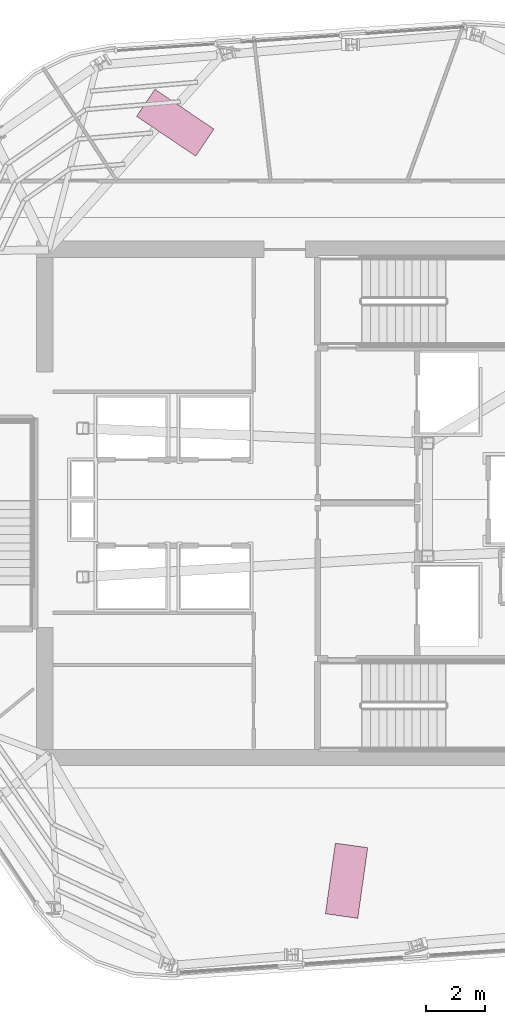
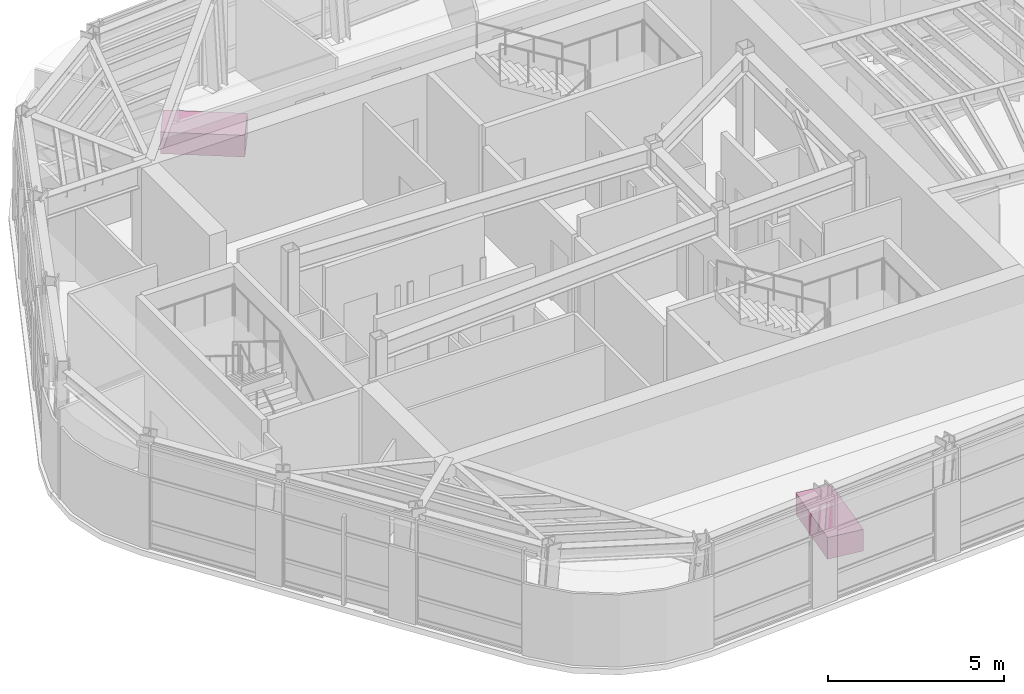
# One storey, part 14 of 14: 2 furniture elements.
"""IFC4 building model written with IfcOpenShell, lengths in metres."""

from ifc_helpers import new_model, si_unit, direction, frame, origin, origin_2d, place, context, subcontext, project, spatial, rectangle, extrude, material, type_object, element, save


model = new_model("IFC4")

# Units and contexts
model_context = context("Model", 3, precision=1e-05, world=origin(), true_north=direction((0.0, 1.0)))
body_context = subcontext(model_context, "Body", "Model", "MODEL_VIEW")
ifc_project = project(units=[si_unit("LENGTHUNIT", "METRE"), si_unit("AREAUNIT", "SQUARE_METRE"), si_unit("VOLUMEUNIT", "CUBIC_METRE"), si_unit("PLANEANGLEUNIT", "RADIAN"), si_unit("MASSUNIT", "GRAM", prefix="KILO")], contexts=[model_context])

# Site, building, storey
site_placement = place(None, origin())
site = spatial("IfcSite", under=ifc_project, at=site_placement, CompositionType="ELEMENT")
building_placement = place(site_placement, origin())
building = spatial("IfcBuilding", under=site, at=building_placement, Name="Valkerne Bourse Tower", CompositionType="ELEMENT")
storey_placement = place(building_placement, frame((0.0, 0.0, 300.199951171875)))
storey = spatial("IfcBuildingStorey", under=building, at=storey_placement, Name="L76", CompositionType="ELEMENT", Elevation=300.199951171875)

# Furniture
ifc_material = material(Name="Architectural White Oak Timber", Category="wood")
furniture_type = type_object("IfcFurnitureType", Name="FURN-DESK-2400", AssemblyPlace="NOTDEFINED", PredefinedType="DESK", material=ifc_material)
for number, where, z_axis, x_axis, name in (
    (1, (41.862060546875, 39.68408203125, 0.045166015625), (0.0, 0.0, 1.0), (-0.829037572555, 0.559192903471, 0.0), "L76 Suite Worktable 06"),
    (2, (47.625, 14.178955078125, 0.045166015625), (0.0, 0.0, 1.0), (0.13917310096, 0.990268068742, 0.0), "L76 Suite Worktable 10"),
):
    element("IfcFurniture", number, at=place(storey_placement, frame(where, z_axis=z_axis, x_axis=x_axis)), inside=storey, type_object=furniture_type, Name=name, PredefinedType="DESK", context=body_context, shape_type="SweptSolid", body=[
        extrude(rectangle(XDim=2.39990234375, YDim=1.10009765625, at=origin_2d()), origin(), (0.0, 0.0, 1.0), 0.75),
    ])

save(model, "model.ifc")
